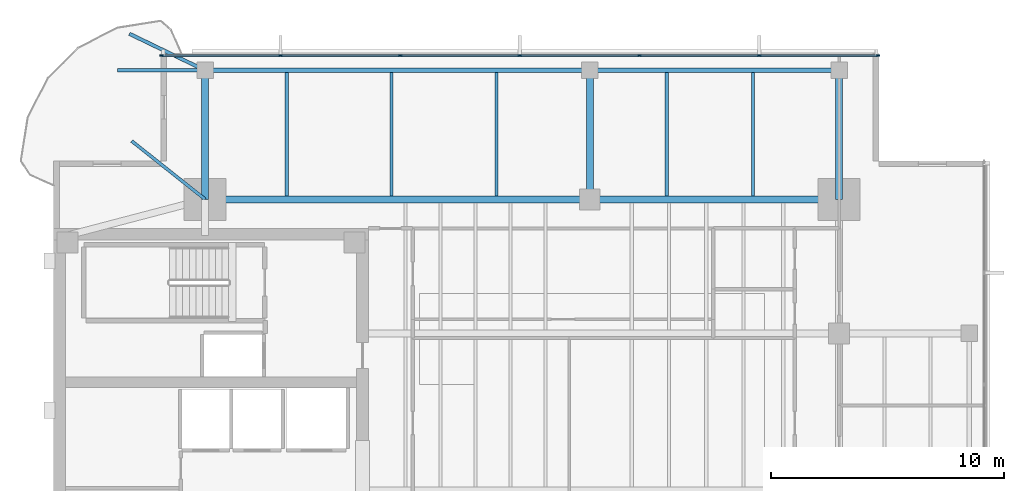
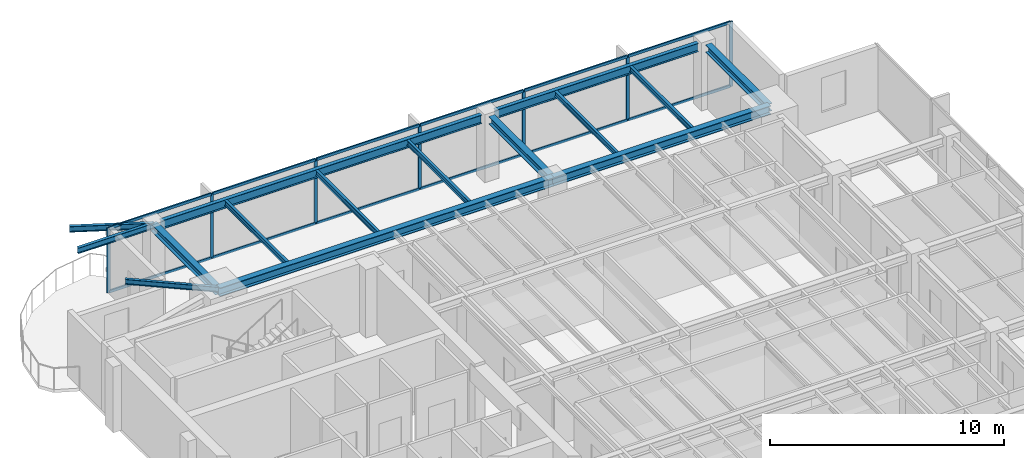
# One storey, part 5 of 14: 19 members, 15 beams, 1 element without a shape of its own.
"""IFC4 building model written with IfcOpenShell, lengths in metres."""

from ifc_helpers import new_model, si_unit, direction, frame, origin, origin_2d, place, context, subcontext, project, spatial, rectangle, i_section, extrude, material, layer, layer_set, material_profile, profile_set, type_object, element, aggregate, save


model = new_model("IFC4")

# Units and contexts
model_context = context("Model", 3, precision=1e-05, world=origin(), true_north=direction((0.0, 1.0)))
body_context = subcontext(model_context, "Body", "Model", "MODEL_VIEW")
ifc_project = project(units=[si_unit("LENGTHUNIT", "METRE"), si_unit("AREAUNIT", "SQUARE_METRE"), si_unit("VOLUMEUNIT", "CUBIC_METRE"), si_unit("PLANEANGLEUNIT", "RADIAN"), si_unit("MASSUNIT", "GRAM", prefix="KILO")], contexts=[model_context])

# Site, building, storey
site_placement = place(None, origin())
site = spatial("IfcSite", under=ifc_project, at=site_placement, CompositionType="ELEMENT")
building_placement = place(site_placement, origin())
building = spatial("IfcBuilding", under=site, at=building_placement, Name="Kinhvarn Gate Tower", CompositionType="ELEMENT")
storey_placement = place(building_placement, frame((0.0, 0.0, 249.25)))
storey = spatial("IfcBuildingStorey", under=building, at=storey_placement, Name="L66", CompositionType="ELEMENT", Elevation=249.25)

# Curtain wall, members
ifc_material_1 = material(Name="Anodised aluminium AW-6063", Category="aluminium")
ifc_layer = layer(ifc_material_1, 0.179931640625)
ifc_layer_set = layer_set([ifc_layer], Name="Anodised aluminium AW-6063")
curtain_wall_type = type_object("IfcCurtainWallType", Name="CW-SYS-3", PredefinedType="NOTDEFINED", material=ifc_layer_set)
curtain_wall_placement = place(storey_placement, origin())
curtain_wall = element("IfcCurtainWall", 1, at=curtain_wall_placement, inside=storey, type_object=curtain_wall_type, Name="Curtain Wall CW3 (L66)", PredefinedType="NOTDEFINED")
ifc_material_profile_1 = material_profile(ifc_material_1, rectangle(XDim=0.06494140625, YDim=0.159912109375, at=origin_2d()), Name="ALU 65x160")
ifc_profile_set_1 = profile_set([ifc_material_profile_1], Name="Anodised aluminium AW-6063")
member_type_1 = type_object("IfcMemberType", Name="CW-MUL-160", PredefinedType="MULLION", material=ifc_profile_set_1)
member_1_placement = place(storey_placement, frame((39.867431640625, 43.909912109375, 0.0), z_axis=(0.0, 0.0, 1.0), x_axis=(0.0, -1.0, 0.0)))
member_1 = element("IfcMember", 2, at=member_1_placement, type_object=member_type_1, Name="CW3 mullion 1", PredefinedType="MULLION", context=body_context, shape_type="SweptSolid", body=[
    extrude(rectangle(XDim=0.06494140625, YDim=0.159912109375, at=origin_2d()), origin(), (0.0, 0.0, 1.0), 3.389892578125),
])
member_2_placement = place(storey_placement, frame((34.7666015625, 43.909912109375, 0.0), z_axis=(0.0, 0.0, 1.0), x_axis=(0.0, -1.0, 0.0)))
member_2 = element("IfcMember", 3, at=member_2_placement, type_object=member_type_1, Name="CW3 mullion 2", PredefinedType="MULLION", context=body_context, shape_type="SweptSolid", body=[
    extrude(rectangle(XDim=0.06494140625, YDim=0.159912109375, at=origin_2d()), origin(), (0.0, 0.0, 1.0), 3.389892578125),
])
member_3_placement = place(storey_placement, frame((29.63330078125, 43.909912109375, 0.0), z_axis=(0.0, 0.0, 1.0), x_axis=(0.0, -1.0, 0.0)))
member_3 = element("IfcMember", 4, at=member_3_placement, type_object=member_type_1, Name="CW3 mullion 3", PredefinedType="MULLION", context=body_context, shape_type="SweptSolid", body=[
    extrude(rectangle(XDim=0.06494140625, YDim=0.159912109375, at=origin_2d()), origin(), (0.0, 0.0, 1.0), 3.389892578125),
])
member_4_placement = place(storey_placement, frame((24.5, 43.909912109375, 0.0), z_axis=(0.0, 0.0, 1.0), x_axis=(0.0, -1.0, 0.0)))
member_4 = element("IfcMember", 5, at=member_4_placement, type_object=member_type_1, Name="CW3 mullion 4", PredefinedType="MULLION", context=body_context, shape_type="SweptSolid", body=[
    extrude(rectangle(XDim=0.06494140625, YDim=0.159912109375, at=origin_2d()), origin(), (0.0, 0.0, 1.0), 3.389892578125),
])
member_5_placement = place(storey_placement, frame((19.36669921875, 43.909912109375, 0.0), z_axis=(0.0, 0.0, 1.0), x_axis=(0.0, -1.0, 0.0)))
member_5 = element("IfcMember", 6, at=member_5_placement, type_object=member_type_1, Name="CW3 mullion 5", PredefinedType="MULLION", context=body_context, shape_type="SweptSolid", body=[
    extrude(rectangle(XDim=0.06494140625, YDim=0.159912109375, at=origin_2d()), origin(), (0.0, 0.0, 1.0), 3.389892578125),
])
member_6_placement = place(storey_placement, frame((14.2333984375, 43.909912109375, 0.0), z_axis=(0.0, 0.0, 1.0), x_axis=(0.0, -1.0, 0.0)))
member_6 = element("IfcMember", 7, at=member_6_placement, type_object=member_type_1, Name="CW3 mullion 6", PredefinedType="MULLION", context=body_context, shape_type="SweptSolid", body=[
    extrude(rectangle(XDim=0.06494140625, YDim=0.159912109375, at=origin_2d()), origin(), (0.0, 0.0, 1.0), 3.389892578125),
])
member_7_placement = place(storey_placement, frame((9.132568359375, 43.909912109375, 0.0), z_axis=(0.0, 0.0, 1.0), x_axis=(0.0, -1.0, 0.0)))
member_7 = element("IfcMember", 8, at=member_7_placement, type_object=member_type_1, Name="CW3 mullion 7", PredefinedType="MULLION", context=body_context, shape_type="SweptSolid", body=[
    extrude(rectangle(XDim=0.06494140625, YDim=0.159912109375, at=origin_2d()), origin(), (0.0, 0.0, 1.0), 3.389892578125),
])
ifc_material_profile_2 = material_profile(ifc_material_1, rectangle(XDim=0.070068359375, YDim=0.139892578125, at=origin_2d()), Name="ALU 70x140")
ifc_profile_set_2 = profile_set([ifc_material_profile_2], Name="Anodised aluminium AW-6063")
member_type_2 = type_object("IfcMemberType", Name="CW-TRN-140", PredefinedType="USERDEFINED", material=ifc_profile_set_2)
member_8_placement = place(storey_placement, frame((39.8349609375, 43.909912109375, 0.034912109375), z_axis=(-1.0, 0.0, 0.0), x_axis=(0.0, -1.0, 0.0)))
member_8 = element("IfcMember", 9, at=member_8_placement, type_object=member_type_2, Name="CW3 transom 1.1", ObjectType="TRANSOM", PredefinedType="USERDEFINED", context=body_context, shape_type="SweptSolid", body=[
    extrude(rectangle(XDim=0.070068359375, YDim=0.139892578125, at=origin_2d()), origin(), (0.0, 0.0, 1.0), 5.035888671875),
])
member_9_placement = place(storey_placement, frame((39.8349609375, 43.909912109375, 3.35498046875), z_axis=(-1.0, 0.0, 0.0), x_axis=(0.0, -1.0, 0.0)))
member_9 = element("IfcMember", 10, at=member_9_placement, type_object=member_type_2, Name="CW3 transom 1.2", ObjectType="TRANSOM", PredefinedType="USERDEFINED", context=body_context, shape_type="SweptSolid", body=[
    extrude(rectangle(XDim=0.070068359375, YDim=0.139892578125, at=origin_2d()), origin(), (0.0, 0.0, 1.0), 5.035888671875),
])
member_10_placement = place(storey_placement, frame((34.734130859375, 43.909912109375, 0.034912109375), z_axis=(-1.0, 0.0, 0.0), x_axis=(0.0, -1.0, 0.0)))
member_10 = element("IfcMember", 11, at=member_10_placement, type_object=member_type_2, Name="CW3 transom 2.1", ObjectType="TRANSOM", PredefinedType="USERDEFINED", context=body_context, shape_type="SweptSolid", body=[
    extrude(rectangle(XDim=0.070068359375, YDim=0.139892578125, at=origin_2d()), origin(), (0.0, 0.0, 1.0), 5.068359375),
])
member_11_placement = place(storey_placement, frame((34.734130859375, 43.909912109375, 3.35498046875), z_axis=(-1.0, 0.0, 0.0), x_axis=(0.0, -1.0, 0.0)))
member_11 = element("IfcMember", 12, at=member_11_placement, type_object=member_type_2, Name="CW3 transom 2.2", ObjectType="TRANSOM", PredefinedType="USERDEFINED", context=body_context, shape_type="SweptSolid", body=[
    extrude(rectangle(XDim=0.070068359375, YDim=0.139892578125, at=origin_2d()), origin(), (0.0, 0.0, 1.0), 5.068359375),
])
member_12_placement = place(storey_placement, frame((29.600830078125, 43.909912109375, 0.034912109375), z_axis=(-1.0, 0.0, 0.0), x_axis=(0.0, -1.0, 0.0)))
member_12 = element("IfcMember", 13, at=member_12_placement, type_object=member_type_2, Name="CW3 transom 3.1", ObjectType="TRANSOM", PredefinedType="USERDEFINED", context=body_context, shape_type="SweptSolid", body=[
    extrude(rectangle(XDim=0.070068359375, YDim=0.139892578125, at=origin_2d()), origin(), (0.0, 0.0, 1.0), 5.068359375),
])
member_13_placement = place(storey_placement, frame((29.600830078125, 43.909912109375, 3.35498046875), z_axis=(-1.0, 0.0, 0.0), x_axis=(0.0, -1.0, 0.0)))
member_13 = element("IfcMember", 14, at=member_13_placement, type_object=member_type_2, Name="CW3 transom 3.2", ObjectType="TRANSOM", PredefinedType="USERDEFINED", context=body_context, shape_type="SweptSolid", body=[
    extrude(rectangle(XDim=0.070068359375, YDim=0.139892578125, at=origin_2d()), origin(), (0.0, 0.0, 1.0), 5.068359375),
])
member_14_placement = place(storey_placement, frame((24.467529296875, 43.909912109375, 0.034912109375), z_axis=(-1.0, 0.0, 0.0), x_axis=(0.0, -1.0, 0.0)))
member_14 = element("IfcMember", 15, at=member_14_placement, type_object=member_type_2, Name="CW3 transom 4.1", ObjectType="TRANSOM", PredefinedType="USERDEFINED", context=body_context, shape_type="SweptSolid", body=[
    extrude(rectangle(XDim=0.070068359375, YDim=0.139892578125, at=origin_2d()), origin(), (0.0, 0.0, 1.0), 5.068359375),
])
member_15_placement = place(storey_placement, frame((24.467529296875, 43.909912109375, 3.35498046875), z_axis=(-1.0, 0.0, 0.0), x_axis=(0.0, -1.0, 0.0)))
member_15 = element("IfcMember", 16, at=member_15_placement, type_object=member_type_2, Name="CW3 transom 4.2", ObjectType="TRANSOM", PredefinedType="USERDEFINED", context=body_context, shape_type="SweptSolid", body=[
    extrude(rectangle(XDim=0.070068359375, YDim=0.139892578125, at=origin_2d()), origin(), (0.0, 0.0, 1.0), 5.068359375),
])
member_16_placement = place(storey_placement, frame((19.334228515625, 43.909912109375, 0.034912109375), z_axis=(-1.0, 0.0, 0.0), x_axis=(0.0, -1.0, 0.0)))
member_16 = element("IfcMember", 17, at=member_16_placement, type_object=member_type_2, Name="CW3 transom 5.1", ObjectType="TRANSOM", PredefinedType="USERDEFINED", context=body_context, shape_type="SweptSolid", body=[
    extrude(rectangle(XDim=0.070068359375, YDim=0.139892578125, at=origin_2d()), origin(), (0.0, 0.0, 1.0), 5.068359375),
])
member_17_placement = place(storey_placement, frame((19.334228515625, 43.909912109375, 3.35498046875), z_axis=(-1.0, 0.0, 0.0), x_axis=(0.0, -1.0, 0.0)))
member_17 = element("IfcMember", 18, at=member_17_placement, type_object=member_type_2, Name="CW3 transom 5.2", ObjectType="TRANSOM", PredefinedType="USERDEFINED", context=body_context, shape_type="SweptSolid", body=[
    extrude(rectangle(XDim=0.070068359375, YDim=0.139892578125, at=origin_2d()), origin(), (0.0, 0.0, 1.0), 5.068359375),
])
member_18_placement = place(storey_placement, frame((14.200927734375, 43.909912109375, 0.034912109375), z_axis=(-1.0, 0.0, 0.0), x_axis=(0.0, -1.0, 0.0)))
member_18 = element("IfcMember", 19, at=member_18_placement, type_object=member_type_2, Name="CW3 transom 6.1", ObjectType="TRANSOM", PredefinedType="USERDEFINED", context=body_context, shape_type="SweptSolid", body=[
    extrude(rectangle(XDim=0.070068359375, YDim=0.139892578125, at=origin_2d()), origin(), (0.0, 0.0, 1.0), 5.035888671875),
])
member_19_placement = place(storey_placement, frame((14.200927734375, 43.909912109375, 3.35498046875), z_axis=(-1.0, 0.0, 0.0), x_axis=(0.0, -1.0, 0.0)))
member_19 = element("IfcMember", 20, at=member_19_placement, type_object=member_type_2, Name="CW3 transom 6.2", ObjectType="TRANSOM", PredefinedType="USERDEFINED", context=body_context, shape_type="SweptSolid", body=[
    extrude(rectangle(XDim=0.070068359375, YDim=0.139892578125, at=origin_2d()), origin(), (0.0, 0.0, 1.0), 5.035888671875),
])
aggregate(curtain_wall, [member_1, member_2, member_3, member_4, member_5, member_6, member_7, member_8, member_9, member_10, member_11, member_12, member_13, member_14, member_15, member_16, member_17, member_18, member_19])

# Beams
ifc_material_2 = material(Name="Steel S355", Category="steel")
ifc_material_profile_3 = material_profile(ifc_material_2, i_section(OverallWidth=0.300048828125, OverallDepth=0.39990234375, WebThickness=0.013427734375, FlangeThickness=0.02392578125, at=origin_2d()), Name="HEB 400")
ifc_profile_set_3 = profile_set([ifc_material_profile_3], Name="Steel S355")
beam_type_1 = type_object("IfcBeamType", Name="STL-HEB400", PredefinedType="BEAM", material=ifc_profile_set_3)
beam_1_placement = place(storey_placement, frame((11.0, 37.75, 3.18994140625), z_axis=(0.0, 1.0, 0.0), x_axis=(-1.0, 0.0, 0.0)))
element("IfcBeam", 21, at=beam_1_placement, inside=storey, type_object=beam_type_1, Name="Floor Beam PG-12 (L66 MCW-N)", PredefinedType="BEAM", context=body_context, shape_type="SweptSolid", body=[
    extrude(i_section(OverallWidth=0.300048828125, OverallDepth=0.39990234375, WebThickness=0.013427734375, FlangeThickness=0.02392578125, at=origin_2d()), origin(), (0.0, 0.0, 1.0), 5.530029296875),
])
for number, where, z_axis, x_axis, name in (
    (22, (27.5, 37.75, 3.18994140625), (0.0, 1.0, 0.0), (-1.0, 0.0, 0.0), "Floor Beam PG-12 (L66 SP27-N-TIE)"),
    (23, (38.199951171875, 37.75, 3.18994140625), (0.0, 1.0, 0.0), (-1.0, 0.0, 0.0), "Floor Beam PG-12 (L66 MCE-N)"),
):
    element("IfcBeam", number, at=place(storey_placement, frame(where, z_axis=z_axis, x_axis=x_axis)), inside=storey, type_object=beam_type_1, Name=name, PredefinedType="BEAM", context=body_context, shape_type="SweptSolid", body=[
        extrude(i_section(OverallWidth=0.300048828125, OverallDepth=0.39990234375, WebThickness=0.013427734375, FlangeThickness=0.02392578125, at=origin_2d()), origin(), (0.0, 0.0, 1.0), 5.195068359375),
    ])
ifc_material_profile_4 = material_profile(ifc_material_2, i_section(OverallWidth=0.300048828125, OverallDepth=0.449951171875, WebThickness=0.013916015625, FlangeThickness=0.02587890625, at=origin_2d()), Name="HEB 450")
ifc_profile_set_4 = profile_set([ifc_material_profile_4], Name="Steel S355")
beam_type_2 = type_object("IfcBeamType", Name="STL-HEB450", PredefinedType="BEAM", material=ifc_profile_set_4)
beam_2_placement = place(storey_placement, frame((11.0, 37.75, 3.1650390625), z_axis=(1.0, 0.0, 0.0), x_axis=(0.0, 1.0, 0.0)))
element("IfcBeam", 24, at=beam_2_placement, inside=storey, type_object=beam_type_2, Name="Floor Beam PG-13 (L66 MG-N1)", PredefinedType="BEAM", context=body_context, shape_type="SweptSolid", body=[
    extrude(i_section(OverallWidth=0.300048828125, OverallDepth=0.449951171875, WebThickness=0.013916015625, FlangeThickness=0.02587890625, at=origin_2d()), origin(), (0.0, 0.0, 1.0), 16.5),
])
beam_3_placement = place(storey_placement, frame((27.5, 37.75, 3.1650390625), z_axis=(1.0, 0.0, 0.0), x_axis=(0.0, 1.0, 0.0)))
element("IfcBeam", 25, at=beam_3_placement, inside=storey, type_object=beam_type_2, Name="Floor Beam PG-13 (L66 MG-N2)", PredefinedType="BEAM", context=body_context, shape_type="SweptSolid", body=[
    extrude(i_section(OverallWidth=0.300048828125, OverallDepth=0.449951171875, WebThickness=0.013916015625, FlangeThickness=0.02587890625, at=origin_2d()), origin(), (0.0, 0.0, 1.0), 10.699951171875),
])
ifc_material_profile_5 = material_profile(ifc_material_2, i_section(OverallWidth=0.135009765625, OverallDepth=0.27001953125, WebThickness=0.006591796875, FlangeThickness=0.01025390625, at=origin_2d()), Name="IPE 270")
ifc_profile_set_5 = profile_set([ifc_material_profile_5], Name="Steel S355")
beam_type_3 = type_object("IfcBeamType", Name="STL-IPE270", PredefinedType="JOIST", material=ifc_profile_set_5)
for number, where, z_axis, x_axis, name in (
    (26, (14.5, 37.89990234375, 3.2548828125), (0.0, 1.0, 0.0), (-1.0, 0.0, 0.0), "Floor Joist SB-01 (L66 JN-X145)"),
    (27, (19.0, 37.89990234375, 3.2548828125), (0.0, 1.0, 0.0), (-1.0, 0.0, 0.0), "Floor Joist SB-01 (L66 JN-X190)"),
    (28, (23.5, 37.89990234375, 3.2548828125), (0.0, 1.0, 0.0), (-1.0, 0.0, 0.0), "Floor Joist SB-01 (L66 JN-X235)"),
    (29, (30.800048828125, 37.89990234375, 3.2548828125), (0.0, 1.0, 0.0), (-1.0, 0.0, 0.0), "Floor Joist SB-01 (L66 JN-X308)"),
    (30, (34.5, 37.89990234375, 3.2548828125), (0.0, 1.0, 0.0), (-1.0, 0.0, 0.0), "Floor Joist SB-01 (L66 JN-X345)"),
):
    element("IfcBeam", number, at=place(storey_placement, frame(where, z_axis=z_axis, x_axis=x_axis)), inside=storey, type_object=beam_type_3, Name=name, PredefinedType="JOIST", context=body_context, shape_type="SweptSolid", body=[
        extrude(i_section(OverallWidth=0.135009765625, OverallDepth=0.27001953125, WebThickness=0.006591796875, FlangeThickness=0.01025390625, at=origin_2d()), origin(), (0.0, 0.0, 1.0), 5.28515625),
    ])
beam_4_placement = place(storey_placement, frame((11.0, 37.75, 3.2548828125), z_axis=(-0.783279518214, 0.621669684275, 0.0), x_axis=(-0.621669684275, -0.783279518214, 0.0)))
element("IfcBeam", 31, at=beam_4_placement, inside=storey, type_object=beam_type_3, Name="Floor Joist SB-01 (L66 BAL-B3-L67)", PredefinedType="JOIST", context=body_context, shape_type="SweptSolid", body=[
    extrude(i_section(OverallWidth=0.135009765625, OverallDepth=0.27001953125, WebThickness=0.006591796875, FlangeThickness=0.01025390625, at=origin_2d()), origin(), (0.0, 0.0, 1.0), 4.021484375),
])
ifc_material_profile_6 = material_profile(ifc_material_2, i_section(OverallWidth=0.14990234375, OverallDepth=0.300048828125, WebThickness=0.007080078125, FlangeThickness=0.0107421875, at=origin_2d()), Name="IPE 300")
ifc_profile_set_6 = profile_set([ifc_material_profile_6], Name="Steel S355")
beam_type_4 = type_object("IfcBeamType", Name="STL-IPE300", PredefinedType="JOIST", material=ifc_profile_set_6)
beam_5_placement = place(storey_placement, frame((11.0, 43.280029296875, 3.239990234375), z_axis=(-1.0, 0.0, 0.0), x_axis=(0.0, -1.0, 0.0)))
element("IfcBeam", 32, at=beam_5_placement, inside=storey, type_object=beam_type_4, Name="Floor Joist SB-02 (L66 BAL-B1-L67)", PredefinedType="JOIST", context=body_context, shape_type="SweptSolid", body=[
    extrude(i_section(OverallWidth=0.14990234375, OverallDepth=0.300048828125, WebThickness=0.007080078125, FlangeThickness=0.0107421875, at=origin_2d()), origin(), (0.0, 0.0, 1.0), 3.75),
])
beam_6_placement = place(storey_placement, frame((11.0, 43.280029296875, 3.239990234375), z_axis=(-0.900431975558, 0.434996847567, 0.0), x_axis=(-0.434996847567, -0.900431975558, 0.0)))
element("IfcBeam", 33, at=beam_6_placement, inside=storey, type_object=beam_type_4, Name="Floor Joist SB-02 (L66 BAL-B2-L67)", PredefinedType="JOIST", context=body_context, shape_type="SweptSolid", body=[
    extrude(i_section(OverallWidth=0.14990234375, OverallDepth=0.300048828125, WebThickness=0.007080078125, FlangeThickness=0.0107421875, at=origin_2d()), origin(), (0.0, 0.0, 1.0), 3.609375),
])
ifc_material_profile_7 = material_profile(ifc_material_2, i_section(OverallWidth=0.18994140625, OverallDepth=0.449951171875, WebThickness=0.009521484375, FlangeThickness=0.0146484375, at=origin_2d()), Name="IPE 450")
ifc_profile_set_7 = profile_set([ifc_material_profile_7], Name="Steel S355")
beam_type_5 = type_object("IfcBeamType", Name="STL-IPE450", PredefinedType="JOIST", material=ifc_profile_set_7)
beam_7_placement = place(storey_placement, frame((11.3349609375, 43.280029296875, 3.1650390625), z_axis=(1.0, 0.0, 0.0), x_axis=(0.0, 1.0, 0.0)))
element("IfcBeam", 34, at=beam_7_placement, inside=storey, type_object=beam_type_5, Name="Floor Joist SB-06 (L66 SP-N1)", PredefinedType="JOIST", context=body_context, shape_type="SweptSolid", body=[
    extrude(i_section(OverallWidth=0.18994140625, OverallDepth=0.449951171875, WebThickness=0.009521484375, FlangeThickness=0.0146484375, at=origin_2d()), origin(), (0.0, 0.0, 1.0), 15.830078125),
])
beam_8_placement = place(storey_placement, frame((27.8349609375, 43.280029296875, 3.1650390625), z_axis=(1.0, 0.0, 0.0), x_axis=(0.0, 1.0, 0.0)))
element("IfcBeam", 35, at=beam_8_placement, inside=storey, type_object=beam_type_5, Name="Floor Joist SB-06 (L66 SP-N2)", PredefinedType="JOIST", context=body_context, shape_type="SweptSolid", body=[
    extrude(i_section(OverallWidth=0.18994140625, OverallDepth=0.449951171875, WebThickness=0.009521484375, FlangeThickness=0.0146484375, at=origin_2d()), origin(), (0.0, 0.0, 1.0), 10.030029296875),
])

save(model, "model.ifc")
